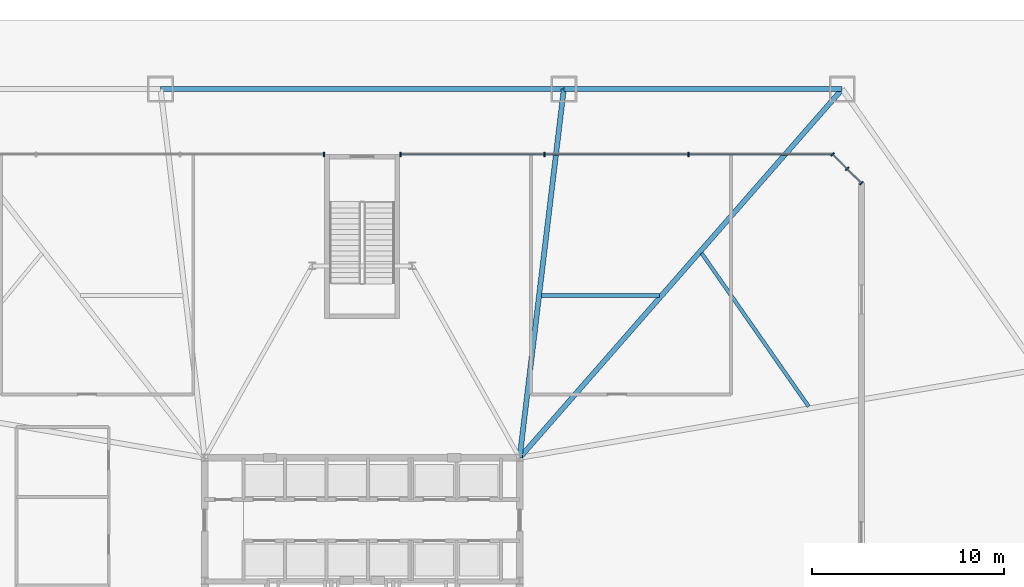
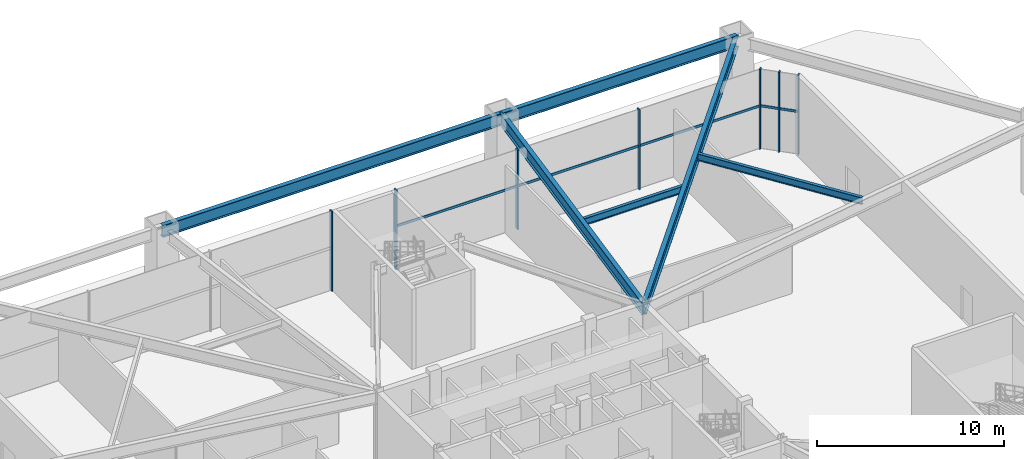
# One storey, part 10 of 20: 9 members, 6 beams, 3 elements without a shape of their own.
"""IFC4 building model written with IfcOpenShell, lengths in metres."""

import ifcopenshell
import ifcopenshell.guid

model = None  # the IFC model being written
_history = None  # IfcOwnerHistory: only IFC2X3 demands one
_inside = {}  # id of a spatial element -> (the spatial element, [elements in it])
_under = {}  # id of a project, library or spatial element -> (it, [spatial elements below it])
_declared = {}  # id of a project -> (the project, [libraries it declares])
_typed = {}  # id of a type object -> (the type object, [elements of that type])
_made_of = {}  # id of a material, layer set ... -> (it, [elements and type objects made of it])


def new_model(schema):
    """Start an empty IFC model of exactly this schema.

    Asked for "IFC4X3", IfcOpenShell would pick the latest addendum, in which some entities
    have other attributes; the version numbers below select the first issue.
    IFC2X3 requires an IfcOwnerHistory on every rooted entity: one is made here for all.
    """
    global model, _history
    if schema == "IFC4X3":
        model = ifcopenshell.file(schema_version=(4, 3, 0, 0))
    else:
        model = ifcopenshell.file(schema=schema)
    _inside.clear()
    _under.clear()
    _declared.clear()
    _typed.clear()
    _made_of.clear()
    _history = None
    if model.schema == "IFC2X3":
        org = make("IfcOrganization", Name="unknown")
        user = make(
            "IfcPersonAndOrganization",
            ThePerson=make("IfcPerson", FamilyName="unknown"),
            TheOrganization=org,
        )
        app = make(
            "IfcApplication",
            ApplicationDeveloper=org,
            Version="unknown",
            ApplicationFullName="unknown",
            ApplicationIdentifier="unknown",
        )
        _history = make(
            "IfcOwnerHistory",
            OwningUser=user,
            OwningApplication=app,
            ChangeAction="ADDED",
            CreationDate=0,
        )
    return model


def make(cls, **values):
    """One entity of the class cls with the attributes given. An attribute that is None is left unset."""
    return model.create_entity(
        cls, **{name: value for name, value in values.items() if value is not None}
    )


def rooted(cls, **values):
    """An entity with a GlobalId (a new one), such as an element, a storey or a relation."""
    return make(cls, GlobalId=ifcopenshell.guid.new(), OwnerHistory=_history, **values)


def si_unit(unit_type, name, prefix=None):
    """IfcSIUnit, for example si_unit("LENGTHUNIT", "METRE", prefix="MILLI")."""
    return make("IfcSIUnit", UnitType=unit_type, Prefix=prefix, Name=name)


def assignment(units):
    """IfcUnitAssignment: the units of a project."""
    return None if units is None else make("IfcUnitAssignment", Units=units)


def point(xyz):
    """IfcCartesianPoint."""
    return None if xyz is None else make("IfcCartesianPoint", Coordinates=xyz)


def direction(xyz):
    """IfcDirection."""
    return None if xyz is None else make("IfcDirection", DirectionRatios=xyz)


def frame(location, z_axis=None, x_axis=None):
    """IfcAxis2Placement3D, a coordinate frame: its origin and axes. An axis left out is left unset."""
    return make(
        "IfcAxis2Placement3D",
        Location=point(location),
        Axis=direction(z_axis),
        RefDirection=direction(x_axis),
    )


def frame_2d(location, x_axis=None):
    """IfcAxis2Placement2D, a coordinate frame in the plane: its origin and x axis."""
    return make(
        "IfcAxis2Placement2D", Location=point(location), RefDirection=direction(x_axis)
    )


def origin():
    """The frame at (0, 0, 0) with its axes left unset."""
    return frame((0.0, 0.0, 0.0))


def origin_2d():
    """The frame at (0, 0) in the plane with its x axis left unset."""
    return frame_2d((0.0, 0.0))


def place(relative_to, where):
    """IfcLocalPlacement: puts the frame where relative to a parent placement (None: the world)."""
    return make(
        "IfcLocalPlacement", PlacementRelTo=relative_to, RelativePlacement=where
    )


def context(
    kind, dimensions, precision=None, world=None, true_north=None, identifier=None
):
    """IfcGeometricRepresentationContext, for example the 3D "Model" context."""
    return make(
        "IfcGeometricRepresentationContext",
        ContextIdentifier=identifier,
        ContextType=kind,
        CoordinateSpaceDimension=dimensions,
        Precision=precision,
        WorldCoordinateSystem=world,
        TrueNorth=true_north,
    )


def subcontext(parent, identifier, kind, view, scale=None):
    """IfcGeometricRepresentationSubContext, for example "Body" below "Model"."""
    return make(
        "IfcGeometricRepresentationSubContext",
        ContextIdentifier=identifier,
        ContextType=kind,
        ParentContext=parent,
        TargetScale=scale,
        TargetView=view,
    )


def project(units=None, contexts=None):
    """IfcProject with its units and contexts."""
    return rooted(
        "IfcProject",
        Name="project",
        RepresentationContexts=contexts,
        UnitsInContext=assignment(units),
    )


def spatial(cls, under=None, at=None, **own):
    """A site, building, storey or space (cls), placed at a placement, below another one or the project."""
    s = rooted(cls, ObjectPlacement=at, **own)
    if under is not None:
        _under.setdefault(under.id(), (under, []))[1].append(s)
    return s


def profile(cls, at=None, kind="AREA", **sizes):
    """A parametric profile (cls). Its sizes go by their IFC names, for example OverallWidth=200.0."""
    return make(cls, ProfileType=kind, Position=at, **sizes)


def rectangle(**sizes):
    """IfcRectangleProfileDef."""
    return profile("IfcRectangleProfileDef", **sizes)


def i_section(**sizes):
    """IfcIShapeProfileDef."""
    return profile("IfcIShapeProfileDef", **sizes)


def extrude(swept, where, along, depth):
    """IfcExtrudedAreaSolid: the profile swept, set in the frame where, extruded along a direction by depth."""
    return make(
        "IfcExtrudedAreaSolid",
        SweptArea=swept,
        Position=where,
        ExtrudedDirection=direction(along),
        Depth=depth,
    )


def shape(context_of_items, identifier, shape_type, items):
    """IfcShapeRepresentation: the items that make up one representation, for example the "Body"."""
    return make(
        "IfcShapeRepresentation",
        ContextOfItems=context_of_items,
        RepresentationIdentifier=identifier,
        RepresentationType=shape_type,
        Items=items,
    )


def source(mapping_origin, context_of_items, identifier, shape_type, items):
    """IfcRepresentationMap: a shape defined once, which mapped items show again and again."""
    return make(
        "IfcRepresentationMap",
        MappingOrigin=mapping_origin,
        MappedRepresentation=shape(context_of_items, identifier, shape_type, items),
    )


def transform(
    local_origin,
    x_axis=None,
    y_axis=None,
    z_axis=None,
    scale=None,
    scale2=None,
    scale3=None,
    uniform=True,
):
    """IfcCartesianTransformationOperator3D, or its non-uniform kind. x_axis, y_axis, z_axis: its Axis1, 2, 3."""
    if uniform:
        return make(
            "IfcCartesianTransformationOperator3D",
            Axis1=direction(x_axis),
            Axis2=direction(y_axis),
            LocalOrigin=point(local_origin),
            Scale=scale,
            Axis3=direction(z_axis),
        )
    return make(
        "IfcCartesianTransformationOperator3DnonUniform",
        Axis1=direction(x_axis),
        Axis2=direction(y_axis),
        LocalOrigin=point(local_origin),
        Scale=scale,
        Axis3=direction(z_axis),
        Scale2=scale2,
        Scale3=scale3,
    )


def mapped(mapping_source, mapping_target):
    """IfcMappedItem: shows the shape of a source again, moved by a transform."""
    return make(
        "IfcMappedItem", MappingSource=mapping_source, MappingTarget=mapping_target
    )


def material(Name=None, Category=None):
    """IfcMaterial."""
    return make("IfcMaterial", Name=Name, Category=Category)


def layer(
    of_material, thickness, ventilated=None, Name=None, Category=None, Priority=None
):
    """IfcMaterialLayer: one layer of a wall or slab, of a material (None: an air gap)."""
    return make(
        "IfcMaterialLayer",
        Material=of_material,
        LayerThickness=thickness,
        IsVentilated=ventilated,
        Name=Name,
        Category=Category,
        Priority=Priority,
    )


def layer_set(layers, Name=None):
    """IfcMaterialLayerSet."""
    return make("IfcMaterialLayerSet", MaterialLayers=layers, LayerSetName=Name)


def material_profile(
    of_material, cross_section, Name=None, Category=None, Priority=None
):
    """IfcMaterialProfile: a cross section and its material."""
    return make(
        "IfcMaterialProfile",
        Name=Name,
        Material=of_material,
        Profile=cross_section,
        Priority=Priority,
        Category=Category,
    )


def profile_set(profiles, Name=None, composite=None):
    """IfcMaterialProfileSet."""
    return make(
        "IfcMaterialProfileSet",
        Name=Name,
        MaterialProfiles=profiles,
        CompositeProfile=composite,
    )


def made_of(thing, what):
    """Note that an element or type object is made of a material, layer set ...; save() writes the relation."""
    if what is not None:
        _made_of.setdefault(what.id(), (what, []))[1].append(thing)
    return thing


def type_object(cls, material=None, **own):
    """A type object (cls), such as IfcWallType, which elements share."""
    return made_of(rooted(cls, **own), material)


def type_shapes(of_type, sources):
    """Give a type object the sources (RepresentationMaps) that its elements show as mapped items."""
    of_type.RepresentationMaps = sources


def element(
    cls,
    number,
    at=None,
    inside=None,
    cuts=None,
    type_object=None,
    material=None,
    context=None,
    identifier="Body",
    shape_type=None,
    held_by="IfcProductDefinitionShape",
    body=None,
    shapes=None,
    **own,
):
    """One element of the class cls, such as IfcWall. Its Tag is "e" and its number.

    at: its placement. inside: the storey or other place that contains it. cuts: it is an
    opening in that element (IfcRelVoidsElement). A single representation is given by context,
    identifier, shape_type and body (its items); several are given by shapes. held_by: the class
    of the entity that holds the representations. save() writes the other relations.
    """
    e = rooted(cls, Tag="e%d" % number, ObjectPlacement=at, **own)
    if body is not None:
        shapes = [shape(context, identifier, shape_type, body)]
    if shapes is not None:
        e.Representation = make(held_by, Representations=shapes)
    if inside is not None:
        _inside.setdefault(inside.id(), (inside, []))[1].append(e)
    if cuts is not None:
        rooted(
            "IfcRelVoidsElement", RelatingBuildingElement=cuts, RelatedOpeningElement=e
        )
    if type_object is not None:
        _typed.setdefault(type_object.id(), (type_object, []))[1].append(e)
    return made_of(e, material)


def aggregate(whole, parts):
    """IfcRelAggregates: a whole, such as a stair, and the parts it consists of."""
    return rooted("IfcRelAggregates", RelatingObject=whole, RelatedObjects=parts)


def save(model, path):
    """Write the relations noted so far, then the file.

    IfcRelAggregates (storeys below a building ...), IfcRelContainedInSpatialStructure (elements
    in a storey), IfcRelDefinesByType, IfcRelAssociatesMaterial and IfcRelDeclares: one each for
    every whole, place, type object, material and project.
    """
    for whole, parts in _under.values():
        aggregate(whole, parts)
    for where, things in _inside.values():
        rooted(
            "IfcRelContainedInSpatialStructure",
            RelatedElements=things,
            RelatingStructure=where,
        )
    for kind, things in _typed.values():
        rooted("IfcRelDefinesByType", RelatedObjects=things, RelatingType=kind)
    for what, things in _made_of.values():
        rooted("IfcRelAssociatesMaterial", RelatedObjects=things, RelatingMaterial=what)
    for by, libraries in _declared.values():
        rooted("IfcRelDeclares", RelatingContext=by, RelatedDefinitions=libraries)
    model.write(path)


model = new_model("IFC4")

# Units and contexts
model_context = context("Model", 3, precision=1e-05, world=origin(), true_north=direction((0.0, 1.0)))
body_context = subcontext(model_context, "Body", "Model", "MODEL_VIEW")
ifc_project = project(units=[si_unit("LENGTHUNIT", "METRE"), si_unit("AREAUNIT", "SQUARE_METRE"), si_unit("VOLUMEUNIT", "CUBIC_METRE"), si_unit("PLANEANGLEUNIT", "RADIAN"), si_unit("MASSUNIT", "GRAM", prefix="KILO")], contexts=[model_context])

# Site, building, storey
site_placement = place(None, origin())
site = spatial("IfcSite", under=ifc_project, at=site_placement, CompositionType="ELEMENT")
building_placement = place(site_placement, origin())
building = spatial("IfcBuilding", under=site, at=building_placement, Name="Varakhsha Concourse Tower", CompositionType="ELEMENT")
storey_placement = place(building_placement, origin())
storey = spatial("IfcBuildingStorey", under=building, at=storey_placement, Name="L01", CompositionType="ELEMENT", Elevation=0.0)

# Beams
ifc_material_1 = material(Name="Structural Steel ASTM A992 Grade 50", Category="steel")
ifc_material_profile_1 = material_profile(ifc_material_1, i_section(OverallWidth=0.26611328125, OverallDepth=0.779052734375, WebThickness=0.01708984375, FlangeThickness=0.030029296875, at=origin_2d()), Name="W30X148")
ifc_profile_set_1 = profile_set([ifc_material_profile_1], Name="Structural Steel ASTM A992 Grade 50")
beam_type_1 = type_object("IfcBeamType", Name="BM-BASE-W30X148", PredefinedType="USERDEFINED", material=ifc_profile_set_1)
beam_1_placement = place(storey_placement, frame((65.0, 50.39990234375, 4.83056640625), z_axis=(-1.0, 0.0, 0.0), x_axis=(0.0, -1.0, 0.0)))
element("IfcBeam", 1, at=beam_1_placement, inside=storey, type_object=beam_type_1, Name="BM-PRING-L01-07", ObjectType="GIRDER", PredefinedType="USERDEFINED", context=body_context, shape_type="SweptSolid", body=[
    extrude(i_section(OverallWidth=0.26611328125, OverallDepth=0.779052734375, WebThickness=0.01708984375, FlangeThickness=0.030029296875, at=origin_2d()), origin(), (0.0, 0.0, 1.0), 14.5),
])
beam_2_placement = place(storey_placement, frame((50.5, 50.39990234375, 4.83056640625), z_axis=(-1.0, 0.0, 0.0), x_axis=(0.0, -1.0, 0.0)))
element("IfcBeam", 2, at=beam_2_placement, inside=storey, type_object=beam_type_1, Name="BM-PRING-L01-08", ObjectType="GIRDER", PredefinedType="USERDEFINED", context=body_context, shape_type="SweptSolid", body=[
    extrude(i_section(OverallWidth=0.26611328125, OverallDepth=0.779052734375, WebThickness=0.01708984375, FlangeThickness=0.030029296875, at=origin_2d()), origin(), (0.0, 0.0, 1.0), 21.0),
])
beam_3_placement = place(storey_placement, frame((48.199951171875, 31.199951171875, 4.83056640625), z_axis=(0.658506640328, 0.7525749163, 0.0), x_axis=(-0.7525749163, 0.658506640328, 0.0)))
element("IfcBeam", 3, at=beam_3_placement, inside=storey, type_object=beam_type_1, Name="BM-PRAD-L01-07", ObjectType="GIRDER", PredefinedType="USERDEFINED", context=body_context, shape_type="SweptSolid", body=[
    extrude(i_section(OverallWidth=0.26611328125, OverallDepth=0.779052734375, WebThickness=0.01708984375, FlangeThickness=0.030029296875, at=origin_2d()), origin(), (0.0, 0.0, 1.0), 25.512451171875),
])
beam_4_placement = place(storey_placement, frame((48.199951171875, 31.199951171875, 4.83056640625), z_axis=(0.118944087656, 0.992900953777, 0.0), x_axis=(-0.992900953777, 0.118944087656, 0.0)))
element("IfcBeam", 4, at=beam_4_placement, inside=storey, type_object=beam_type_1, Name="BM-PRAD-L01-08", ObjectType="GIRDER", PredefinedType="USERDEFINED", context=body_context, shape_type="SweptSolid", body=[
    extrude(i_section(OverallWidth=0.26611328125, OverallDepth=0.779052734375, WebThickness=0.01708984375, FlangeThickness=0.030029296875, at=origin_2d()), origin(), (0.0, 0.0, 1.0), 19.337158203125),
])
ifc_material_profile_2 = material_profile(ifc_material_1, i_section(OverallWidth=0.19091796875, OverallDepth=0.45703125, WebThickness=0.009033203125, FlangeThickness=0.013916015625, at=origin_2d()), Name="W18X50")
ifc_profile_set_2 = profile_set([ifc_material_profile_2], Name="Structural Steel ASTM A992 Grade 50")
beam_type_2 = type_object("IfcBeamType", Name="BM-JST-W18X50", PredefinedType="JOIST", material=ifc_profile_set_2)
beam_5_placement = place(storey_placement, frame((63.251220703125, 33.87451171875, 4.991455078125), z_axis=(-0.572714673091, 0.819754782375, 0.0), x_axis=(-0.819754782375, -0.572714673091, 0.0)))
element("IfcBeam", 5, at=beam_5_placement, inside=storey, type_object=beam_type_2, Name="BM-PJST-L01-06", PredefinedType="JOIST", context=body_context, shape_type="SweptSolid", body=[
    extrude(i_section(OverallWidth=0.19091796875, OverallDepth=0.45703125, WebThickness=0.009033203125, FlangeThickness=0.013916015625, at=origin_2d()), origin(), (0.0, 0.0, 1.0), 9.7333984375),
])
beam_6_placement = place(storey_placement, frame((55.471923828125, 39.64794921875, 4.991455078125), z_axis=(-1.0, 0.0, 0.0), x_axis=(0.0, -1.0, 0.0)))
element("IfcBeam", 6, at=beam_6_placement, inside=storey, type_object=beam_type_2, Name="BM-PJST-L01-07", PredefinedType="JOIST", context=body_context, shape_type="SweptSolid", body=[
    extrude(i_section(OverallWidth=0.19091796875, OverallDepth=0.45703125, WebThickness=0.009033203125, FlangeThickness=0.013916015625, at=origin_2d()), origin(), (0.0, 0.0, 1.0), 6.139892578125),
])

# Curtain wall, members
ifc_material_2 = material(Name="Anodised Bronze Architectural Aluminium AA 6063-T6", Category="aluminium")
ifc_layer = layer(ifc_material_2, 0.239990234375, Name="CW-SYS-01")
ifc_layer_set = layer_set([ifc_layer], Name="Anodised Bronze Architectural Aluminium AA 6063-T6")
curtain_wall_type = type_object("IfcCurtainWallType", Name="CW-SYS-01", PredefinedType="NOTDEFINED", material=ifc_layer_set)
curtain_wall_1_placement = place(storey_placement, origin())
curtain_wall_1 = element("IfcCurtainWall", 7, at=curtain_wall_1_placement, inside=storey, type_object=curtain_wall_type, Name="L01 Concourse Curtain Wall 04", PredefinedType="NOTDEFINED")
ifc_material_profile_3 = material_profile(ifc_material_2, rectangle(XDim=0.074951171875, YDim=0.219970703125, at=origin_2d()), Name="CWM-220X75")
ifc_profile_set_3 = profile_set([ifc_material_profile_3], Name="Anodised Bronze Architectural Aluminium AA 6063-T6")
member_type_1 = type_object("IfcMemberType", Name="CWM-220X75", PredefinedType="MULLION", material=ifc_profile_set_3)
shared_shape_1 = source(origin(), body_context, "Body", "SweptSolid", [
    extrude(rectangle(XDim=0.074951171875, YDim=0.219970703125, at=origin_2d()), origin(), (0.0, 0.0, 1.0), 5.219970703125),
])
type_shapes(member_type_1, [shared_shape_1])
member_1_placement = place(storey_placement, frame((66.0, 45.5, 0.0), z_axis=(0.0, 0.0, 1.0), x_axis=(-0.707106781187, 0.707106781187, 0.0)))
member_1 = element("IfcMember", 8, at=member_1_placement, type_object=member_type_1, Name="CW-L01-04 Mullion 00", PredefinedType="MULLION", context=body_context, shape_type="MappedRepresentation", body=[
    mapped(shared_shape_1, transform((0.0, 0.0, 0.0), scale=1.0)),
])
member_2_placement = place(storey_placement, frame((65.25, 46.25, 0.0), z_axis=(0.0, 0.0, 1.0), x_axis=(-0.707106781187, 0.707106781187, 0.0)))
member_2 = element("IfcMember", 9, at=member_2_placement, type_object=member_type_1, Name="CW-L01-04 Mullion 01", PredefinedType="MULLION", context=body_context, shape_type="MappedRepresentation", body=[
    mapped(shared_shape_1, transform((0.0, 0.0, 0.0), scale=1.0)),
])
member_3_placement = place(storey_placement, frame((64.5, 47.0, 0.0), z_axis=(0.0, 0.0, 1.0), x_axis=(-0.707106781187, 0.707106781187, 0.0)))
member_3 = element("IfcMember", 10, at=member_3_placement, type_object=member_type_1, Name="CW-L01-04 Mullion 02", PredefinedType="MULLION", context=body_context, shape_type="MappedRepresentation", body=[
    mapped(shared_shape_1, transform((0.0, 0.0, 0.0), scale=1.0)),
])

curtain_wall_2_placement = place(storey_placement, origin())
curtain_wall_2 = element("IfcCurtainWall", 11, at=curtain_wall_2_placement, inside=storey, type_object=curtain_wall_type, Name="L01 Concourse Curtain Wall 05A", PredefinedType="NOTDEFINED")
member_4_placement = place(storey_placement, frame((56.99658203125, 47.0, 0.0), z_axis=(0.0, 0.0, 1.0), x_axis=(-1.0, 0.0, 0.0)))
member_4 = element("IfcMember", 12, at=member_4_placement, type_object=member_type_1, Name="CW-L01-05A Mullion 01", PredefinedType="MULLION", context=body_context, shape_type="MappedRepresentation", body=[
    mapped(shared_shape_1, transform((0.0, 0.0, 0.0), scale=1.0)),
])
member_5_placement = place(storey_placement, frame((49.493408203125, 47.0, 0.0), z_axis=(0.0, 0.0, 1.0), x_axis=(-1.0, 0.0, 0.0)))
member_5 = element("IfcMember", 13, at=member_5_placement, type_object=member_type_1, Name="CW-L01-05A Mullion 02", PredefinedType="MULLION", context=body_context, shape_type="MappedRepresentation", body=[
    mapped(shared_shape_1, transform((0.0, 0.0, 0.0), scale=1.0)),
])
member_6_placement = place(storey_placement, frame((41.989990234375, 47.0, 0.0), z_axis=(0.0, 0.0, 1.0), x_axis=(-1.0, 0.0, 0.0)))
member_6 = element("IfcMember", 14, at=member_6_placement, type_object=member_type_1, Name="CW-L01-05A Mullion 03", PredefinedType="MULLION", context=body_context, shape_type="MappedRepresentation", body=[
    mapped(shared_shape_1, transform((0.0, 0.0, 0.0), scale=1.0)),
])

# Curtain wall, member
curtain_wall_3_placement = place(storey_placement, origin())
curtain_wall_3 = element("IfcCurtainWall", 15, at=curtain_wall_3_placement, inside=storey, type_object=curtain_wall_type, Name="L01 Concourse Curtain Wall 05B", PredefinedType="NOTDEFINED")
member_7_placement = place(storey_placement, frame((38.010009765625, 47.0, 0.0), z_axis=(0.0, 0.0, 1.0), x_axis=(-1.0, 0.0, 0.0)))
member_7 = element("IfcMember", 16, at=member_7_placement, type_object=member_type_1, Name="CW-L01-05B Mullion 00", PredefinedType="MULLION", context=body_context, shape_type="MappedRepresentation", body=[
    mapped(shared_shape_1, transform((0.0, 0.0, 0.0), scale=1.0)),
])
aggregate(curtain_wall_3, [member_7])

# Member
ifc_material_profile_4 = material_profile(ifc_material_2, rectangle(XDim=0.06494140625, YDim=0.159912109375, at=origin_2d()), Name="CWT-160X65")
ifc_profile_set_4 = profile_set([ifc_material_profile_4], Name="Anodised Bronze Architectural Aluminium AA 6063-T6")
member_type_2 = type_object("IfcMemberType", Name="CWT-160X65", PredefinedType="USERDEFINED", material=ifc_profile_set_4)
shared_shape_2 = source(origin(), body_context, "Body", "SweptSolid", [
    extrude(rectangle(XDim=0.06494140625, YDim=0.159912109375, at=origin_2d()), origin(), (0.0, 0.0, 1.0), 2.121337890625),
])
member_8_placement = place(storey_placement, frame((66.0, 45.5, 2.800048828125), z_axis=(-0.707106781187, 0.707106781187, 0.0), x_axis=(-0.707106781187, -0.707106781187, 0.0)))
member_8 = element("IfcMember", 17, at=member_8_placement, type_object=member_type_2, Name="CW-L01-04 Transom 01", ObjectType="TRANSOM", PredefinedType="USERDEFINED", context=body_context, shape_type="MappedRepresentation", body=[
    mapped(shared_shape_2, transform((0.0, 0.0, 0.0), scale=1.0)),
])

aggregate(curtain_wall_1, [member_1, member_2, member_3, member_8])

shared_shape_3 = source(origin(), body_context, "Body", "SweptSolid", [
    extrude(rectangle(XDim=0.06494140625, YDim=0.159912109375, at=origin_2d()), origin(), (0.0, 0.0, 1.0), 22.510009765625),
])
type_shapes(member_type_2, [shared_shape_2, shared_shape_3])
member_9_placement = place(storey_placement, frame((64.5, 47.0, 2.800048828125), z_axis=(-1.0, 0.0, 0.0), x_axis=(0.0, -1.0, 0.0)))
member_9 = element("IfcMember", 18, at=member_9_placement, type_object=member_type_2, Name="CW-L01-05A Transom 01", ObjectType="TRANSOM", PredefinedType="USERDEFINED", context=body_context, shape_type="MappedRepresentation", body=[
    mapped(shared_shape_3, transform((0.0, 0.0, 0.0), scale=1.0)),
])

aggregate(curtain_wall_2, [member_4, member_5, member_6, member_9])

save(model, "model.ifc")
